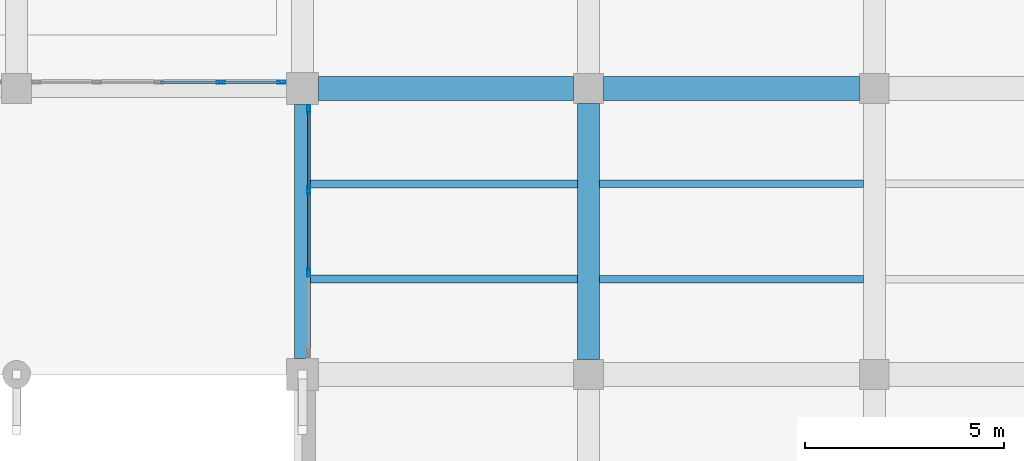
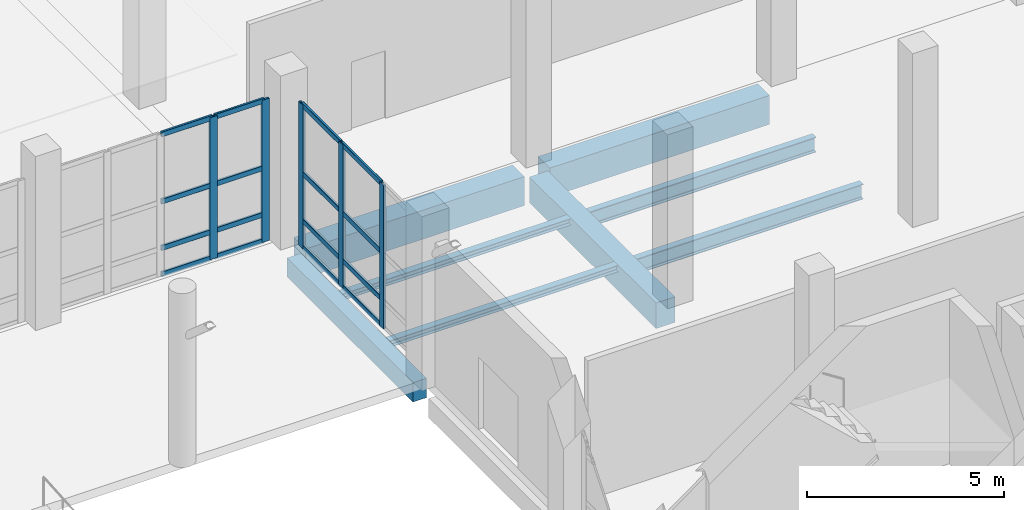
# One storey, part 34 of 137: 21 members, 8 beams, 2 elements without a shape of their own.
"""IFC4 building model written with IfcOpenShell, lengths in metres."""

from ifc_helpers import new_model, si_unit, direction, frame, origin, origin_2d, place, context, subcontext, project, spatial, rectangle, hollow_rectangle, i_section, extrude, material, material_profile, profile_set, type_object, element, aggregate, save


model = new_model("IFC4")

# Units and contexts
model_context = context("Model", 3, precision=1e-05, world=origin(), true_north=direction((0.0, 1.0)))
body_context = subcontext(model_context, "Body", "Model", "MODEL_VIEW")
ifc_project = project(units=[si_unit("LENGTHUNIT", "METRE"), si_unit("AREAUNIT", "SQUARE_METRE"), si_unit("VOLUMEUNIT", "CUBIC_METRE"), si_unit("PLANEANGLEUNIT", "RADIAN"), si_unit("MASSUNIT", "GRAM", prefix="KILO")], contexts=[model_context])

# Site, building, storey
site_placement = place(None, origin())
site = spatial("IfcSite", under=ifc_project, at=site_placement, CompositionType="ELEMENT")
building_placement = place(site_placement, origin())
building = spatial("IfcBuilding", under=site, at=building_placement, Name="Kalmorath City Hall", CompositionType="ELEMENT")
storey_placement = place(building_placement, origin())
storey = spatial("IfcBuildingStorey", under=building, at=storey_placement, Name="L00", CompositionType="ELEMENT", Elevation=0.0)

# Beams
ifc_material_1 = material(Name="Concrete C40/50", Category="concrete")
ifc_material_profile_1 = material_profile(ifc_material_1, rectangle(XDim=0.39990234375, YDim=0.60009765625, at=origin_2d()), Name="RC-BM-400X600")
ifc_profile_set_1 = profile_set([ifc_material_profile_1], Name="Concrete C40/50")
beam_type_1 = type_object("IfcBeamType", Name="Concrete edge beam 400x600", PredefinedType="SPANDREL", material=ifc_profile_set_1)
beam_1_placement = place(storey_placement, frame((115.199951171875, 14.800048828125, -0.60400390625), z_axis=(0.0, 1.0, 0.0), x_axis=(-1.0, 0.0, 0.0)))
element("IfcBeam", 1, at=beam_1_placement, inside=storey, type_object=beam_type_1, Name="L00 girder CB6 Y17/3-4", PredefinedType="SPANDREL", context=body_context, shape_type="SweptSolid", body=[
    extrude(rectangle(XDim=0.39990234375, YDim=0.60009765625, at=origin_2d()), origin(), (0.0, 0.0, 1.0), 6.39990234375),
])
ifc_material_2 = material(Name="Concrete C40/50", Category="concrete")
ifc_material_profile_2 = material_profile(ifc_material_2, rectangle(XDim=0.550048828125, YDim=0.800048828125, at=origin_2d()), Name="RC-BM-550X800")
ifc_profile_set_2 = profile_set([ifc_material_profile_2], Name="Concrete C40/50")
beam_type_2 = type_object("IfcBeamType", Name="Concrete floor girder 550x800", PredefinedType="BEAM", material=ifc_profile_set_2)
beam_2_placement = place(storey_placement, frame((122.39990234375, 14.77490234375, -0.7041015625), z_axis=(0.0, 1.0, 0.0), x_axis=(-1.0, 0.0, 0.0)))
element("IfcBeam", 2, at=beam_2_placement, inside=storey, type_object=beam_type_2, Name="L00 girder CB2 Y18/3-4", PredefinedType="BEAM", context=body_context, shape_type="SweptSolid", body=[
    extrude(rectangle(XDim=0.550048828125, YDim=0.800048828125, at=origin_2d()), origin(), (0.0, 0.0, 1.0), 6.4501953125),
])
ifc_material_3 = material(Name="Concrete C40/50", Category="concrete")
ifc_material_profile_3 = material_profile(ifc_material_3, rectangle(XDim=0.60009765625, YDim=0.89990234375, at=origin_2d()), Name="RC-BM-600X900")
ifc_profile_set_3 = profile_set([ifc_material_profile_3], Name="Concrete C40/50")
beam_type_3 = type_object("IfcBeamType", Name="Concrete floor girder 600x900", PredefinedType="BEAM", material=ifc_profile_set_3)
beam_3_placement = place(storey_placement, frame((115.60009765625, 21.60009765625, -0.75390625), z_axis=(1.0, 0.0, 0.0), x_axis=(0.0, 1.0, 0.0)))
element("IfcBeam", 3, at=beam_3_placement, inside=storey, type_object=beam_type_3, Name="L00 girder CB1 X17-18/4", PredefinedType="BEAM", context=body_context, shape_type="SweptSolid", body=[
    extrude(rectangle(XDim=0.60009765625, YDim=0.89990234375, at=origin_2d()), origin(), (0.0, 0.0, 1.0), 6.4248046875),
])
beam_4_placement = place(storey_placement, frame((122.77490234375, 21.60009765625, -0.75390625), z_axis=(1.0, 0.0, 0.0), x_axis=(0.0, 1.0, 0.0)))
element("IfcBeam", 4, at=beam_4_placement, inside=storey, type_object=beam_type_3, Name="L00 girder CB1 X18-19/4", PredefinedType="BEAM", context=body_context, shape_type="SweptSolid", body=[
    extrude(rectangle(XDim=0.60009765625, YDim=0.89990234375, at=origin_2d()), origin(), (0.0, 0.0, 1.0), 6.4501953125),
])

# Curtain wall, members
ifc_material_4 = material(Name="Anodised aluminium and laminated glass", Category="aluminium")
curtain_wall_type_1 = type_object("IfcCurtainWallType", Name="Unitised hurricane curtain wall 6220x4461 M1800", PredefinedType="NOTDEFINED", material=ifc_material_4)
curtain_wall_1_placement = place(storey_placement, origin())
curtain_wall_1 = element("IfcCurtainWall", 5, at=curtain_wall_1_placement, inside=storey, type_object=curtain_wall_type_1, Name="L00 curtain wall CW-62X45M18 #17", PredefinedType="NOTDEFINED")
ifc_material_5 = material(Name="Anodised aluminium framing", Category="aluminium")
ifc_material_profile_4 = material_profile(ifc_material_5, hollow_rectangle(XDim=0.074951171875, YDim=0.219970703125, WallThickness=0.00390625, InnerFilletRadius=0.00390625, OuterFilletRadius=0.008056640625, at=origin_2d()), Name="ALU-MUL-220X75X4")
ifc_profile_set_4 = profile_set([ifc_material_profile_4], Name="Anodised aluminium framing")
member_type_1 = type_object("IfcMemberType", Name="Curtain-wall primary mullion 220x75", PredefinedType="MULLION", material=ifc_profile_set_4)
member_1_placement = place(storey_placement, frame((115.360107421875, 16.96337890625, 0.0), z_axis=(0.0, 0.0, 1.0), x_axis=(-1.0, 0.0, 0.0)))
member_1 = element("IfcMember", 6, at=member_1_placement, type_object=member_type_1, Name="CW-62X45M18 mullion 2", PredefinedType="MULLION", context=body_context, shape_type="SweptSolid", body=[
    extrude(hollow_rectangle(XDim=0.074951171875, YDim=0.219970703125, WallThickness=0.00390625, InnerFilletRadius=0.00390625, OuterFilletRadius=0.008056640625, at=origin_2d()), origin(), (0.0, 0.0, 1.0), 4.4609375),
])
member_2_placement = place(storey_placement, frame((115.360107421875, 19.03662109375, 0.0), z_axis=(0.0, 0.0, 1.0), x_axis=(-1.0, 0.0, 0.0)))
member_2 = element("IfcMember", 7, at=member_2_placement, type_object=member_type_1, Name="CW-62X45M18 mullion 3", PredefinedType="MULLION", context=body_context, shape_type="SweptSolid", body=[
    extrude(hollow_rectangle(XDim=0.074951171875, YDim=0.219970703125, WallThickness=0.00390625, InnerFilletRadius=0.00390625, OuterFilletRadius=0.008056640625, at=origin_2d()), origin(), (0.0, 0.0, 1.0), 4.4609375),
])
member_3_placement = place(storey_placement, frame((115.360107421875, 21.072509765625, 0.0), z_axis=(0.0, 0.0, 1.0), x_axis=(-1.0, 0.0, 0.0)))
member_3 = element("IfcMember", 8, at=member_3_placement, type_object=member_type_1, Name="CW-62X45M18 mullion 4", PredefinedType="MULLION", context=body_context, shape_type="SweptSolid", body=[
    extrude(hollow_rectangle(XDim=0.074951171875, YDim=0.219970703125, WallThickness=0.00390625, InnerFilletRadius=0.00390625, OuterFilletRadius=0.008056640625, at=origin_2d()), origin(), (0.0, 0.0, 1.0), 4.4609375),
])

ifc_material_6 = material(Name="Anodised aluminium and laminated glass", Category="aluminium")
curtain_wall_type_2 = type_object("IfcCurtainWallType", Name="Unitised hurricane curtain wall 6245x4411 M1500", PredefinedType="NOTDEFINED", material=ifc_material_6)
curtain_wall_2_placement = place(storey_placement, origin())
curtain_wall_2 = element("IfcCurtainWall", 9, at=curtain_wall_2_placement, inside=storey, type_object=curtain_wall_type_2, Name="L00 curtain wall CW-62X44M15 #18", PredefinedType="NOTDEFINED")
member_4_placement = place(storey_placement, frame((114.672607421875, 21.760009765625, 0.0), z_axis=(0.0, 0.0, 1.0), x_axis=(0.0, -1.0, 0.0)))
member_4 = element("IfcMember", 10, at=member_4_placement, type_object=member_type_1, Name="CW-62X44M15 mullion 1", PredefinedType="MULLION", context=body_context, shape_type="SweptSolid", body=[
    extrude(hollow_rectangle(XDim=0.074951171875, YDim=0.219970703125, WallThickness=0.00390625, InnerFilletRadius=0.00390625, OuterFilletRadius=0.008056640625, at=origin_2d()), origin(), (0.0, 0.0, 1.0), 4.410888671875),
])
member_5_placement = place(storey_placement, frame((113.148681640625, 21.760009765625, 0.0), z_axis=(0.0, 0.0, 1.0), x_axis=(0.0, -1.0, 0.0)))
member_5 = element("IfcMember", 11, at=member_5_placement, type_object=member_type_1, Name="CW-62X44M15 mullion 2", PredefinedType="MULLION", context=body_context, shape_type="SweptSolid", body=[
    extrude(hollow_rectangle(XDim=0.074951171875, YDim=0.219970703125, WallThickness=0.00390625, InnerFilletRadius=0.00390625, OuterFilletRadius=0.008056640625, at=origin_2d()), origin(), (0.0, 0.0, 1.0), 4.410888671875),
])

# Member
ifc_material_7 = material(Name="Anodised aluminium framing", Category="aluminium")
ifc_material_profile_5 = material_profile(ifc_material_7, hollow_rectangle(XDim=0.06494140625, YDim=0.159912109375, WallThickness=0.00390625, InnerFilletRadius=0.00390625, OuterFilletRadius=0.008056640625, at=origin_2d()), Name="ALU-TRN-160X65X4")
ifc_profile_set_5 = profile_set([ifc_material_profile_5], Name="Anodised aluminium framing")
member_type_2 = type_object("IfcMemberType", Name="Curtain-wall primary transom 160x65", PredefinedType="USERDEFINED", material=ifc_profile_set_5)
member_6_placement = place(storey_placement, frame((115.360107421875, 17.000732421875, 0.032470703125), z_axis=(0.0, 1.0, 0.0), x_axis=(-1.0, 0.0, 0.0)))
member_6 = element("IfcMember", 12, at=member_6_placement, type_object=member_type_2, Name="CW-62X45M18 transom 2.1", ObjectType="TRANSOM", PredefinedType="USERDEFINED", context=body_context, shape_type="SweptSolid", body=[
    extrude(hollow_rectangle(XDim=0.06494140625, YDim=0.159912109375, WallThickness=0.00390625, InnerFilletRadius=0.00390625, OuterFilletRadius=0.008056640625, at=origin_2d()), origin(), (0.0, 0.0, 1.0), 1.99853515625),
])

member_7_placement = place(storey_placement, frame((115.360107421875, 17.000732421875, 0.85009765625), z_axis=(0.0, 1.0, 0.0), x_axis=(-1.0, 0.0, 0.0)))
member_7 = element("IfcMember", 13, at=member_7_placement, type_object=member_type_2, Name="CW-62X45M18 transom 2.2", ObjectType="TRANSOM", PredefinedType="USERDEFINED", context=body_context, shape_type="SweptSolid", body=[
    extrude(hollow_rectangle(XDim=0.06494140625, YDim=0.159912109375, WallThickness=0.00390625, InnerFilletRadius=0.00390625, OuterFilletRadius=0.008056640625, at=origin_2d()), origin(), (0.0, 0.0, 1.0), 1.99853515625),
])

member_8_placement = place(storey_placement, frame((115.360107421875, 17.000732421875, 2.320068359375), z_axis=(0.0, 1.0, 0.0), x_axis=(-1.0, 0.0, 0.0)))
member_8 = element("IfcMember", 14, at=member_8_placement, type_object=member_type_2, Name="CW-62X45M18 transom 2.3", ObjectType="TRANSOM", PredefinedType="USERDEFINED", context=body_context, shape_type="SweptSolid", body=[
    extrude(hollow_rectangle(XDim=0.06494140625, YDim=0.159912109375, WallThickness=0.00390625, InnerFilletRadius=0.00390625, OuterFilletRadius=0.008056640625, at=origin_2d()), origin(), (0.0, 0.0, 1.0), 1.99853515625),
])

member_9_placement = place(storey_placement, frame((115.360107421875, 17.000732421875, 4.428466796875), z_axis=(0.0, 1.0, 0.0), x_axis=(-1.0, 0.0, 0.0)))
member_9 = element("IfcMember", 15, at=member_9_placement, type_object=member_type_2, Name="CW-62X45M18 transom 2.4", ObjectType="TRANSOM", PredefinedType="USERDEFINED", context=body_context, shape_type="SweptSolid", body=[
    extrude(hollow_rectangle(XDim=0.06494140625, YDim=0.159912109375, WallThickness=0.00390625, InnerFilletRadius=0.00390625, OuterFilletRadius=0.008056640625, at=origin_2d()), origin(), (0.0, 0.0, 1.0), 1.99853515625),
])

member_10_placement = place(storey_placement, frame((115.360107421875, 19.07421875, 0.032470703125), z_axis=(0.0, 1.0, 0.0), x_axis=(-1.0, 0.0, 0.0)))
member_10 = element("IfcMember", 16, at=member_10_placement, type_object=member_type_2, Name="CW-62X45M18 transom 3.1", ObjectType="TRANSOM", PredefinedType="USERDEFINED", context=body_context, shape_type="SweptSolid", body=[
    extrude(hollow_rectangle(XDim=0.06494140625, YDim=0.159912109375, WallThickness=0.00390625, InnerFilletRadius=0.00390625, OuterFilletRadius=0.008056640625, at=origin_2d()), origin(), (0.0, 0.0, 1.0), 1.960693359375),
])

member_11_placement = place(storey_placement, frame((115.360107421875, 19.07421875, 0.85009765625), z_axis=(0.0, 1.0, 0.0), x_axis=(-1.0, 0.0, 0.0)))
member_11 = element("IfcMember", 17, at=member_11_placement, type_object=member_type_2, Name="CW-62X45M18 transom 3.2", ObjectType="TRANSOM", PredefinedType="USERDEFINED", context=body_context, shape_type="SweptSolid", body=[
    extrude(hollow_rectangle(XDim=0.06494140625, YDim=0.159912109375, WallThickness=0.00390625, InnerFilletRadius=0.00390625, OuterFilletRadius=0.008056640625, at=origin_2d()), origin(), (0.0, 0.0, 1.0), 1.960693359375),
])

member_12_placement = place(storey_placement, frame((115.360107421875, 19.07421875, 2.320068359375), z_axis=(0.0, 1.0, 0.0), x_axis=(-1.0, 0.0, 0.0)))
member_12 = element("IfcMember", 18, at=member_12_placement, type_object=member_type_2, Name="CW-62X45M18 transom 3.3", ObjectType="TRANSOM", PredefinedType="USERDEFINED", context=body_context, shape_type="SweptSolid", body=[
    extrude(hollow_rectangle(XDim=0.06494140625, YDim=0.159912109375, WallThickness=0.00390625, InnerFilletRadius=0.00390625, OuterFilletRadius=0.008056640625, at=origin_2d()), origin(), (0.0, 0.0, 1.0), 1.960693359375),
])

member_13_placement = place(storey_placement, frame((115.360107421875, 19.07421875, 4.428466796875), z_axis=(0.0, 1.0, 0.0), x_axis=(-1.0, 0.0, 0.0)))
member_13 = element("IfcMember", 19, at=member_13_placement, type_object=member_type_2, Name="CW-62X45M18 transom 3.4", ObjectType="TRANSOM", PredefinedType="USERDEFINED", context=body_context, shape_type="SweptSolid", body=[
    extrude(hollow_rectangle(XDim=0.06494140625, YDim=0.159912109375, WallThickness=0.00390625, InnerFilletRadius=0.00390625, OuterFilletRadius=0.008056640625, at=origin_2d()), origin(), (0.0, 0.0, 1.0), 1.960693359375),
])

aggregate(curtain_wall_1, [member_1, member_2, member_3, member_6, member_7, member_8, member_9, member_10, member_11, member_12, member_13])

member_14_placement = place(storey_placement, frame((114.635009765625, 21.760009765625, 0.032470703125), z_axis=(-1.0, 0.0, 0.0), x_axis=(0.0, -1.0, 0.0)))
member_14 = element("IfcMember", 20, at=member_14_placement, type_object=member_type_2, Name="CW-62X44M15 transom 1.1", ObjectType="TRANSOM", PredefinedType="USERDEFINED", context=body_context, shape_type="SweptSolid", body=[
    extrude(hollow_rectangle(XDim=0.06494140625, YDim=0.159912109375, WallThickness=0.00390625, InnerFilletRadius=0.00390625, OuterFilletRadius=0.008056640625, at=origin_2d()), origin(), (0.0, 0.0, 1.0), 1.44873046875),
])

member_15_placement = place(storey_placement, frame((114.635009765625, 21.760009765625, 0.85009765625), z_axis=(-1.0, 0.0, 0.0), x_axis=(0.0, -1.0, 0.0)))
member_15 = element("IfcMember", 21, at=member_15_placement, type_object=member_type_2, Name="CW-62X44M15 transom 1.2", ObjectType="TRANSOM", PredefinedType="USERDEFINED", context=body_context, shape_type="SweptSolid", body=[
    extrude(hollow_rectangle(XDim=0.06494140625, YDim=0.159912109375, WallThickness=0.00390625, InnerFilletRadius=0.00390625, OuterFilletRadius=0.008056640625, at=origin_2d()), origin(), (0.0, 0.0, 1.0), 1.44873046875),
])

member_16_placement = place(storey_placement, frame((114.635009765625, 21.760009765625, 2.2939453125), z_axis=(-1.0, 0.0, 0.0), x_axis=(0.0, -1.0, 0.0)))
member_16 = element("IfcMember", 22, at=member_16_placement, type_object=member_type_2, Name="CW-62X44M15 transom 1.3", ObjectType="TRANSOM", PredefinedType="USERDEFINED", context=body_context, shape_type="SweptSolid", body=[
    extrude(hollow_rectangle(XDim=0.06494140625, YDim=0.159912109375, WallThickness=0.00390625, InnerFilletRadius=0.00390625, OuterFilletRadius=0.008056640625, at=origin_2d()), origin(), (0.0, 0.0, 1.0), 1.44873046875),
])

member_17_placement = place(storey_placement, frame((114.635009765625, 21.760009765625, 4.37841796875), z_axis=(-1.0, 0.0, 0.0), x_axis=(0.0, -1.0, 0.0)))
member_17 = element("IfcMember", 23, at=member_17_placement, type_object=member_type_2, Name="CW-62X44M15 transom 1.4", ObjectType="TRANSOM", PredefinedType="USERDEFINED", context=body_context, shape_type="SweptSolid", body=[
    extrude(hollow_rectangle(XDim=0.06494140625, YDim=0.159912109375, WallThickness=0.00390625, InnerFilletRadius=0.00390625, OuterFilletRadius=0.008056640625, at=origin_2d()), origin(), (0.0, 0.0, 1.0), 1.44873046875),
])

member_18_placement = place(storey_placement, frame((113.111328125, 21.760009765625, 0.032470703125), z_axis=(-1.0, 0.0, 0.0), x_axis=(0.0, -1.0, 0.0)))
member_18 = element("IfcMember", 24, at=member_18_placement, type_object=member_type_2, Name="CW-62X44M15 transom 2.1", ObjectType="TRANSOM", PredefinedType="USERDEFINED", context=body_context, shape_type="SweptSolid", body=[
    extrude(hollow_rectangle(XDim=0.06494140625, YDim=0.159912109375, WallThickness=0.00390625, InnerFilletRadius=0.00390625, OuterFilletRadius=0.008056640625, at=origin_2d()), origin(), (0.0, 0.0, 1.0), 1.486328125),
])

member_19_placement = place(storey_placement, frame((113.111328125, 21.760009765625, 0.85009765625), z_axis=(-1.0, 0.0, 0.0), x_axis=(0.0, -1.0, 0.0)))
member_19 = element("IfcMember", 25, at=member_19_placement, type_object=member_type_2, Name="CW-62X44M15 transom 2.2", ObjectType="TRANSOM", PredefinedType="USERDEFINED", context=body_context, shape_type="SweptSolid", body=[
    extrude(hollow_rectangle(XDim=0.06494140625, YDim=0.159912109375, WallThickness=0.00390625, InnerFilletRadius=0.00390625, OuterFilletRadius=0.008056640625, at=origin_2d()), origin(), (0.0, 0.0, 1.0), 1.486328125),
])

member_20_placement = place(storey_placement, frame((113.111328125, 21.760009765625, 2.2939453125), z_axis=(-1.0, 0.0, 0.0), x_axis=(0.0, -1.0, 0.0)))
member_20 = element("IfcMember", 26, at=member_20_placement, type_object=member_type_2, Name="CW-62X44M15 transom 2.3", ObjectType="TRANSOM", PredefinedType="USERDEFINED", context=body_context, shape_type="SweptSolid", body=[
    extrude(hollow_rectangle(XDim=0.06494140625, YDim=0.159912109375, WallThickness=0.00390625, InnerFilletRadius=0.00390625, OuterFilletRadius=0.008056640625, at=origin_2d()), origin(), (0.0, 0.0, 1.0), 1.486328125),
])

member_21_placement = place(storey_placement, frame((113.111328125, 21.760009765625, 4.37841796875), z_axis=(-1.0, 0.0, 0.0), x_axis=(0.0, -1.0, 0.0)))
member_21 = element("IfcMember", 27, at=member_21_placement, type_object=member_type_2, Name="CW-62X44M15 transom 2.4", ObjectType="TRANSOM", PredefinedType="USERDEFINED", context=body_context, shape_type="SweptSolid", body=[
    extrude(hollow_rectangle(XDim=0.06494140625, YDim=0.159912109375, WallThickness=0.00390625, InnerFilletRadius=0.00390625, OuterFilletRadius=0.008056640625, at=origin_2d()), origin(), (0.0, 0.0, 1.0), 1.486328125),
])

aggregate(curtain_wall_2, [member_4, member_5, member_14, member_15, member_16, member_17, member_18, member_19, member_20, member_21])

# Beams
ifc_material_8 = material(Name="Steel ASTM A992 Grade 50", Category="steel")
ifc_material_profile_6 = material_profile(ifc_material_8, i_section(OverallWidth=0.193115234375, OverallDepth=0.466064453125, WebThickness=0.011474609375, FlangeThickness=0.01904296875, FilletRadius=0.013916015625, at=origin_2d()), Name="W18X65")
ifc_profile_set_6 = profile_set([ifc_material_profile_6], Name="Steel ASTM A992 Grade 50")
beam_type_4 = type_object("IfcBeamType", Name="Steel composite joist W18X65", PredefinedType="JOIST", material=ifc_profile_set_6)
for number, where, z_axis, x_axis, name in (
    (28, (122.675048828125, 16.800048828125, -0.537109375), (1.0, 0.0, 0.0), (0.0, 1.0, 0.0), "L00 joist SJ1 18.3.1"),
    (29, (122.675048828125, 19.199951171875, -0.537109375), (1.0, 0.0, 0.0), (0.0, 1.0, 0.0), "L00 joist SJ1 18.3.2"),
):
    element("IfcBeam", number, at=place(storey_placement, frame(where, z_axis=z_axis, x_axis=x_axis)), inside=storey, type_object=beam_type_4, Name=name, PredefinedType="JOIST", context=body_context, shape_type="SweptSolid", body=[
        extrude(i_section(OverallWidth=0.193115234375, OverallDepth=0.466064453125, WebThickness=0.011474609375, FlangeThickness=0.01904296875, FilletRadius=0.013916015625, at=origin_2d()), origin(), (0.0, 0.0, 1.0), 6.64990234375),
    ])
ifc_material_9 = material(Name="Steel ASTM A992 Grade 50", Category="steel")
ifc_material_profile_7 = material_profile(ifc_material_9, i_section(OverallWidth=0.202880859375, OverallDepth=0.202880859375, WebThickness=0.007080078125, FlangeThickness=0.010986328125, FilletRadius=0.010986328125, at=origin_2d()), Name="W8X31")
ifc_profile_set_7 = profile_set([ifc_material_profile_7], Name="Steel ASTM A992 Grade 50")
beam_type_5 = type_object("IfcBeamType", Name="Steel edge trimmer W8X31", PredefinedType="LINTEL", material=ifc_profile_set_7)
for number, where, z_axis, x_axis, name in (
    (30, (115.39990234375, 16.800048828125, -0.405517578125), (1.0, 0.0, 0.0), (0.0, 1.0, 0.0), "L00 joist SJ16 17.3.1"),
    (31, (115.39990234375, 19.199951171875, -0.405517578125), (1.0, 0.0, 0.0), (0.0, 1.0, 0.0), "L00 joist SJ16 17.3.2"),
):
    element("IfcBeam", number, at=place(storey_placement, frame(where, z_axis=z_axis, x_axis=x_axis)), inside=storey, type_object=beam_type_5, Name=name, PredefinedType="LINTEL", context=body_context, shape_type="SweptSolid", body=[
        extrude(i_section(OverallWidth=0.202880859375, OverallDepth=0.202880859375, WebThickness=0.007080078125, FlangeThickness=0.010986328125, FilletRadius=0.010986328125, at=origin_2d()), origin(), (0.0, 0.0, 1.0), 6.72509765625),
    ])

save(model, "model.ifc")
